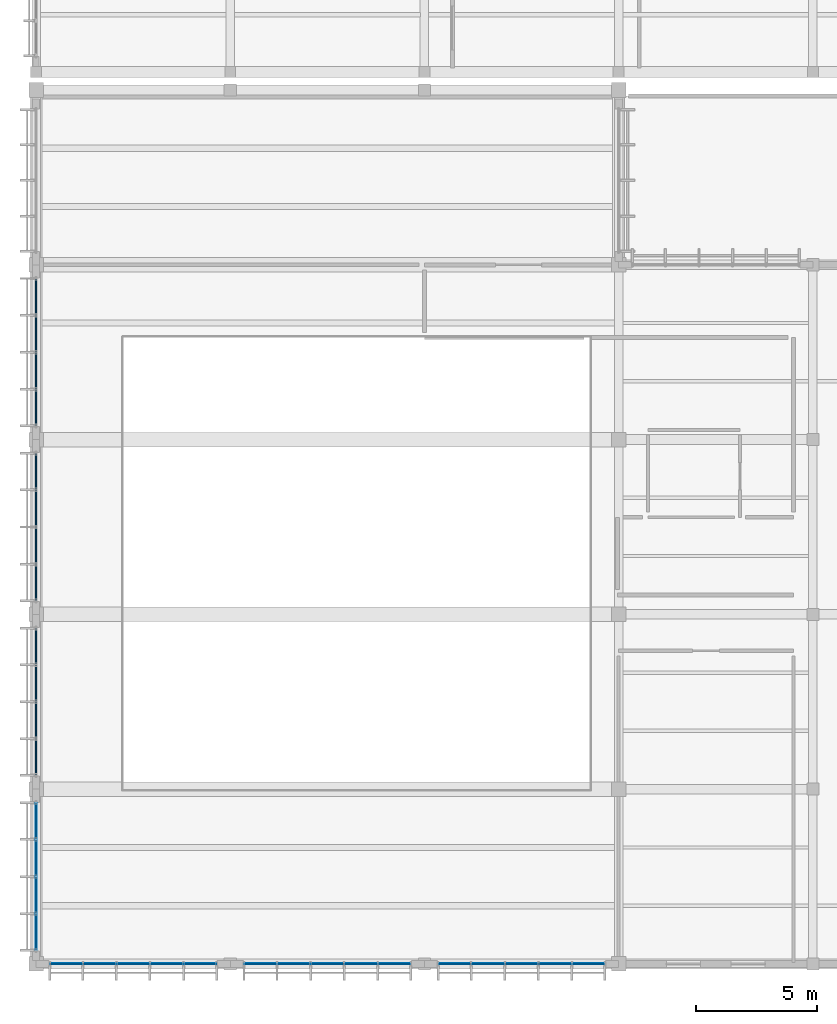
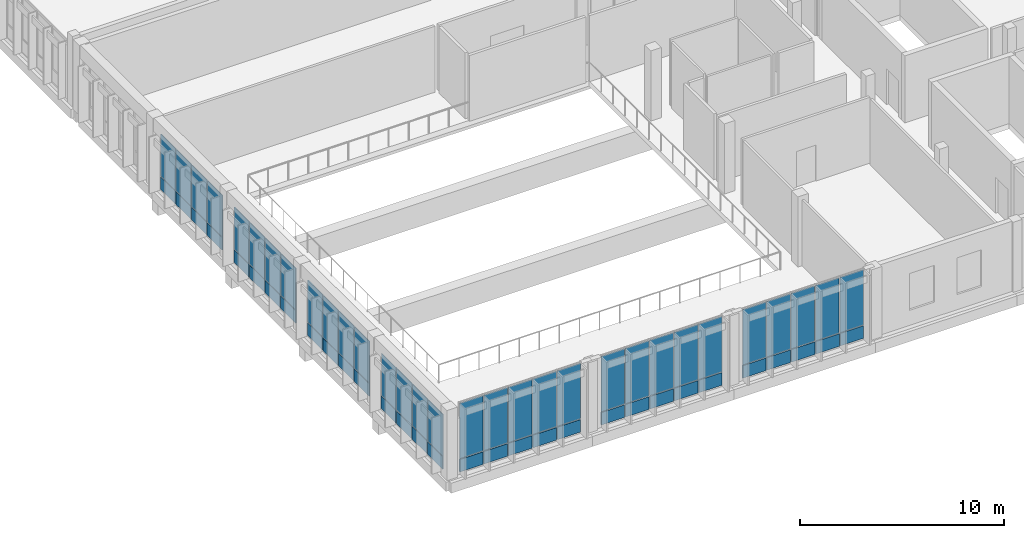
# One storey, part 144 of 182: 62 plates, 7 elements without a shape of their own.
"""IFC4 building model written with IfcOpenShell, lengths in metres."""

from ifc_helpers import new_model, si_unit, direction, frame, origin, origin_2d, place, context, subcontext, project, spatial, rectangle, extrude, material, layer, layer_set, type_object, element, aggregate, save


model = new_model("IFC4")

# Units and contexts
model_context = context("Model", 3, precision=1e-05, world=origin(), true_north=direction((0.0, 1.0)))
body_context = subcontext(model_context, "Body", "Model", "MODEL_VIEW")
ifc_project = project(units=[si_unit("LENGTHUNIT", "METRE"), si_unit("AREAUNIT", "SQUARE_METRE"), si_unit("VOLUMEUNIT", "CUBIC_METRE"), si_unit("PLANEANGLEUNIT", "RADIAN"), si_unit("MASSUNIT", "GRAM", prefix="KILO")], contexts=[model_context])

# Site, building, storey
site_placement = place(None, origin())
site = spatial("IfcSite", under=ifc_project, at=site_placement, CompositionType="ELEMENT")
building_placement = place(site_placement, origin())
building = spatial("IfcBuilding", under=site, at=building_placement, Name="Chiffa Square Polytechnic", CompositionType="ELEMENT")
storey_placement = place(building_placement, frame((0.0, 0.0, 9.60009765625)))
storey = spatial("IfcBuildingStorey", under=building, at=storey_placement, Name="L02", CompositionType="ELEMENT", Elevation=9.60009765625)

# Curtain wall, plates
ifc_material_1 = material(Name="Aluminium EN AW-6060 T66 and glulam shading", Category="wood")
curtain_wall_type_1 = type_object("IfcCurtainWallType", Name="CW-VERT-480X380", PredefinedType="USERDEFINED", material=ifc_material_1)
curtain_wall_1_placement = place(storey_placement, origin())
curtain_wall_1 = element("IfcCurtainWall", 1, at=curtain_wall_1_placement, inside=storey, type_object=curtain_wall_type_1, Name="Curtain wall CW-V3-L02-166", ObjectType="CURTAIN WALL", PredefinedType="USERDEFINED")
ifc_material_2 = material(Name="Double glazing", Category="glass")
ifc_layer_1 = layer(ifc_material_2, 0.035888671875, Name="Double glazing")
ifc_layer_set_1 = layer_set([ifc_layer_1], Name="Double glazing")
plate_type_1 = type_object("IfcPlateType", Name="CWP-GLZ-120X145", PredefinedType="CURTAIN_PANEL", material=ifc_layer_set_1)
plate_1_placement = place(storey_placement, frame((9.242919921875, 0.0, 0.83984375), z_axis=(0.0, 0.0, 1.0), x_axis=(1.0, 0.0, 0.0)))
plate_1 = element("IfcPlate", 2, at=plate_1_placement, type_object=plate_type_1, Name="Glazed curtain panel CW-V3-L02-166-PN01", PredefinedType="CURTAIN_PANEL", context=body_context, shape_type="SweptSolid", body=[
    extrude(rectangle(XDim=1.31005859375, YDim=0.035888671875, at=origin_2d()), origin(), (0.0, 0.0, 1.0), 3.31005859375),
])
plate_2_placement = place(storey_placement, frame((10.615966796875, 0.0, 0.83984375), z_axis=(0.0, 0.0, 1.0), x_axis=(1.0, 0.0, 0.0)))
plate_2 = element("IfcPlate", 3, at=plate_2_placement, type_object=plate_type_1, Name="Glazed curtain panel CW-V3-L02-166-PN02", PredefinedType="CURTAIN_PANEL", context=body_context, shape_type="SweptSolid", body=[
    extrude(rectangle(XDim=1.33203125, YDim=0.035888671875, at=origin_2d()), origin(), (0.0, 0.0, 1.0), 3.31005859375),
])
plate_3_placement = place(storey_placement, frame((12.0, 0.0, 0.83984375), z_axis=(0.0, 0.0, 1.0), x_axis=(1.0, 0.0, 0.0)))
plate_3 = element("IfcPlate", 4, at=plate_3_placement, type_object=plate_type_1, Name="Glazed curtain panel CW-V3-L02-166-PN03", PredefinedType="CURTAIN_PANEL", context=body_context, shape_type="SweptSolid", body=[
    extrude(rectangle(XDim=1.33203125, YDim=0.035888671875, at=origin_2d()), origin(), (0.0, 0.0, 1.0), 3.31005859375),
])
plate_4_placement = place(storey_placement, frame((13.384033203125, 0.0, 0.83984375), z_axis=(0.0, 0.0, 1.0), x_axis=(1.0, 0.0, 0.0)))
plate_4 = element("IfcPlate", 5, at=plate_4_placement, type_object=plate_type_1, Name="Glazed curtain panel CW-V3-L02-166-PN04", PredefinedType="CURTAIN_PANEL", context=body_context, shape_type="SweptSolid", body=[
    extrude(rectangle(XDim=1.33203125, YDim=0.035888671875, at=origin_2d()), origin(), (0.0, 0.0, 1.0), 3.31005859375),
])
plate_5_placement = place(storey_placement, frame((14.757080078125, 0.0, 0.83984375), z_axis=(0.0, 0.0, 1.0), x_axis=(1.0, 0.0, 0.0)))
plate_5 = element("IfcPlate", 6, at=plate_5_placement, type_object=plate_type_1, Name="Glazed curtain panel CW-V3-L02-166-PN05", PredefinedType="CURTAIN_PANEL", context=body_context, shape_type="SweptSolid", body=[
    extrude(rectangle(XDim=1.31005859375, YDim=0.035888671875, at=origin_2d()), origin(), (0.0, 0.0, 1.0), 3.31005859375),
])

curtain_wall_type_2 = type_object("IfcCurtainWallType", Name="CW-VERT-600X440", PredefinedType="USERDEFINED", material=ifc_material_1)
curtain_wall_2_placement = place(storey_placement, origin())
curtain_wall_2 = element("IfcCurtainWall", 7, at=curtain_wall_2_placement, inside=storey, type_object=curtain_wall_type_2, Name="Curtain wall CW-V3-L02-177", ObjectType="CURTAIN WALL", PredefinedType="USERDEFINED")
ifc_layer_2 = layer(ifc_material_2, 0.0458984375, Name="Double glazing")
ifc_layer_set_2 = layer_set([ifc_layer_2], Name="Double glazing")
plate_type_2 = type_object("IfcPlateType", Name="CWP-GLZ-128X106", PredefinedType="CURTAIN_PANEL", material=ifc_layer_set_2)
plate_6_placement = place(storey_placement, frame((0.0, 13.083984375, 0.84033203125), z_axis=(0.0, 0.0, 1.0), x_axis=(0.0, -1.0, 0.0)))
plate_6 = element("IfcPlate", 8, at=plate_6_placement, type_object=plate_type_2, Name="Glazed curtain panel CW-V3-L02-177-PN01", PredefinedType="CURTAIN_PANEL", context=body_context, shape_type="SweptSolid", body=[
    extrude(rectangle(XDim=1.4560546875, YDim=0.0458984375, at=origin_2d()), origin(), (0.0, 0.0, 1.0), 2.4951171875),
])
plate_7_placement = place(storey_placement, frame((0.0, 11.56494140625, 0.84033203125), z_axis=(0.0, 0.0, 1.0), x_axis=(0.0, -1.0, 0.0)))
plate_7 = element("IfcPlate", 9, at=plate_7_placement, type_object=plate_type_2, Name="Glazed curtain panel CW-V3-L02-177-PN02", PredefinedType="CURTAIN_PANEL", context=body_context, shape_type="SweptSolid", body=[
    extrude(rectangle(XDim=1.47802734375, YDim=0.0458984375, at=origin_2d()), origin(), (0.0, 0.0, 1.0), 2.4951171875),
])
plate_8_placement = place(storey_placement, frame((0.0, 10.034912109375, 0.84033203125), z_axis=(0.0, 0.0, 1.0), x_axis=(0.0, -1.0, 0.0)))
plate_8 = element("IfcPlate", 10, at=plate_8_placement, type_object=plate_type_2, Name="Glazed curtain panel CW-V3-L02-177-PN03", PredefinedType="CURTAIN_PANEL", context=body_context, shape_type="SweptSolid", body=[
    extrude(rectangle(XDim=1.47802734375, YDim=0.0458984375, at=origin_2d()), origin(), (0.0, 0.0, 1.0), 2.4951171875),
])
plate_9_placement = place(storey_placement, frame((0.0, 8.51611328125, 0.84033203125), z_axis=(0.0, 0.0, 1.0), x_axis=(0.0, -1.0, 0.0)))
plate_9 = element("IfcPlate", 11, at=plate_9_placement, type_object=plate_type_2, Name="Glazed curtain panel CW-V3-L02-177-PN04", PredefinedType="CURTAIN_PANEL", context=body_context, shape_type="SweptSolid", body=[
    extrude(rectangle(XDim=1.4560546875, YDim=0.0458984375, at=origin_2d()), origin(), (0.0, 0.0, 1.0), 2.4951171875),
])

curtain_wall_type_3 = type_object("IfcCurtainWallType", Name="CW-VERT-450X440", PredefinedType="USERDEFINED", material=ifc_material_1)
curtain_wall_3_placement = place(storey_placement, origin())
curtain_wall_3 = element("IfcCurtainWall", 12, at=curtain_wall_3_placement, inside=storey, type_object=curtain_wall_type_3, Name="Curtain wall CW-V3-L02-176", ObjectType="CURTAIN WALL", PredefinedType="USERDEFINED")
ifc_layer_3 = layer(ifc_material_2, 0.0458984375, Name="Double glazing")
ifc_layer_set_3 = layer_set([ifc_layer_3], Name="Double glazing")
plate_type_3 = type_object("IfcPlateType", Name="CWP-GLZ-130X110", PredefinedType="CURTAIN_PANEL", material=ifc_layer_set_3)
plate_10_placement = place(storey_placement, frame((0.0, 20.283935546875, 0.84033203125), z_axis=(0.0, 0.0, 1.0), x_axis=(0.0, -1.0, 0.0)))
plate_10 = element("IfcPlate", 13, at=plate_10_placement, type_object=plate_type_3, Name="Glazed curtain panel CW-V3-L02-176-PN01", PredefinedType="CURTAIN_PANEL", context=body_context, shape_type="SweptSolid", body=[
    extrude(rectangle(XDim=1.4560546875, YDim=0.0458984375, at=origin_2d()), origin(), (0.0, 0.0, 1.0), 2.4951171875),
])
plate_11_placement = place(storey_placement, frame((0.0, 18.764892578125, 0.84033203125), z_axis=(0.0, 0.0, 1.0), x_axis=(0.0, -1.0, 0.0)))
plate_11 = element("IfcPlate", 14, at=plate_11_placement, type_object=plate_type_3, Name="Glazed curtain panel CW-V3-L02-176-PN02", PredefinedType="CURTAIN_PANEL", context=body_context, shape_type="SweptSolid", body=[
    extrude(rectangle(XDim=1.47802734375, YDim=0.0458984375, at=origin_2d()), origin(), (0.0, 0.0, 1.0), 2.4951171875),
])
plate_12_placement = place(storey_placement, frame((0.0, 17.235107421875, 0.84033203125), z_axis=(0.0, 0.0, 1.0), x_axis=(0.0, -1.0, 0.0)))
plate_12 = element("IfcPlate", 15, at=plate_12_placement, type_object=plate_type_3, Name="Glazed curtain panel CW-V3-L02-176-PN03", PredefinedType="CURTAIN_PANEL", context=body_context, shape_type="SweptSolid", body=[
    extrude(rectangle(XDim=1.47802734375, YDim=0.0458984375, at=origin_2d()), origin(), (0.0, 0.0, 1.0), 2.4951171875),
])
plate_13_placement = place(storey_placement, frame((0.0, 15.716064453125, 0.84033203125), z_axis=(0.0, 0.0, 1.0), x_axis=(0.0, -1.0, 0.0)))
plate_13 = element("IfcPlate", 16, at=plate_13_placement, type_object=plate_type_3, Name="Glazed curtain panel CW-V3-L02-176-PN04", PredefinedType="CURTAIN_PANEL", context=body_context, shape_type="SweptSolid", body=[
    extrude(rectangle(XDim=1.4560546875, YDim=0.0458984375, at=origin_2d()), origin(), (0.0, 0.0, 1.0), 2.4951171875),
])

curtain_wall_type_4 = type_object("IfcCurtainWallType", Name="CW-VERT-540X440", PredefinedType="USERDEFINED", material=ifc_material_1)
curtain_wall_4_placement = place(storey_placement, origin())
curtain_wall_4 = element("IfcCurtainWall", 17, at=curtain_wall_4_placement, inside=storey, type_object=curtain_wall_type_4, Name="Curtain wall CW-V3-L02-175", ObjectType="CURTAIN WALL", PredefinedType="USERDEFINED")
ifc_layer_4 = layer(ifc_material_2, 0.0439453125, Name="Double glazing")
ifc_layer_set_4 = layer_set([ifc_layer_4], Name="Double glazing")
plate_type_4 = type_object("IfcPlateType", Name="CWP-GLZ-132X114", PredefinedType="CURTAIN_PANEL", material=ifc_layer_set_4)
plate_14_placement = place(storey_placement, frame((0.0, 27.48388671875, 0.84033203125), z_axis=(0.0, 0.0, 1.0), x_axis=(0.0, -1.0, 0.0)))
plate_14 = element("IfcPlate", 18, at=plate_14_placement, type_object=plate_type_4, Name="Glazed curtain panel CW-V3-L02-175-PN01", PredefinedType="CURTAIN_PANEL", context=body_context, shape_type="SweptSolid", body=[
    extrude(rectangle(XDim=1.4560546875, YDim=0.0439453125, at=origin_2d()), origin(), (0.0, 0.0, 1.0), 2.4951171875),
])
plate_15_placement = place(storey_placement, frame((0.0, 25.965087890625, 0.84033203125), z_axis=(0.0, 0.0, 1.0), x_axis=(0.0, -1.0, 0.0)))
plate_15 = element("IfcPlate", 19, at=plate_15_placement, type_object=plate_type_4, Name="Glazed curtain panel CW-V3-L02-175-PN02", PredefinedType="CURTAIN_PANEL", context=body_context, shape_type="SweptSolid", body=[
    extrude(rectangle(XDim=1.47802734375, YDim=0.0439453125, at=origin_2d()), origin(), (0.0, 0.0, 1.0), 2.4951171875),
])
plate_16_placement = place(storey_placement, frame((0.0, 24.43505859375, 0.84033203125), z_axis=(0.0, 0.0, 1.0), x_axis=(0.0, -1.0, 0.0)))
plate_16 = element("IfcPlate", 20, at=plate_16_placement, type_object=plate_type_4, Name="Glazed curtain panel CW-V3-L02-175-PN03", PredefinedType="CURTAIN_PANEL", context=body_context, shape_type="SweptSolid", body=[
    extrude(rectangle(XDim=1.47802734375, YDim=0.0439453125, at=origin_2d()), origin(), (0.0, 0.0, 1.0), 2.4951171875),
])
plate_17_placement = place(storey_placement, frame((0.0, 22.916015625, 0.84033203125), z_axis=(0.0, 0.0, 1.0), x_axis=(0.0, -1.0, 0.0)))
plate_17 = element("IfcPlate", 21, at=plate_17_placement, type_object=plate_type_4, Name="Glazed curtain panel CW-V3-L02-175-PN04", PredefinedType="CURTAIN_PANEL", context=body_context, shape_type="SweptSolid", body=[
    extrude(rectangle(XDim=1.4560546875, YDim=0.0439453125, at=origin_2d()), origin(), (0.0, 0.0, 1.0), 2.4951171875),
])

curtain_wall_type_5 = type_object("IfcCurtainWallType", Name="CW-VERT-360X380", PredefinedType="USERDEFINED", material=ifc_material_1)
curtain_wall_5_placement = place(storey_placement, origin())
curtain_wall_5 = element("IfcCurtainWall", 22, at=curtain_wall_5_placement, inside=storey, type_object=curtain_wall_type_5, Name="Curtain wall CW-V3-L02-165", ObjectType="CURTAIN WALL", PredefinedType="USERDEFINED")
ifc_layer_5 = layer(ifc_material_2, 0.035888671875, Name="Double glazing")
ifc_layer_set_5 = layer_set([ifc_layer_5], Name="Double glazing")
plate_type_5 = type_object("IfcPlateType", Name="CWP-GLZ-150X125", PredefinedType="CURTAIN_PANEL", material=ifc_layer_set_5)
plate_18_placement = place(storey_placement, frame((1.242919921875, 0.0, 0.83984375), z_axis=(0.0, 0.0, 1.0), x_axis=(1.0, 0.0, 0.0)))
plate_18 = element("IfcPlate", 23, at=plate_18_placement, type_object=plate_type_5, Name="Glazed curtain panel CW-V3-L02-165-PN01", PredefinedType="CURTAIN_PANEL", context=body_context, shape_type="SweptSolid", body=[
    extrude(rectangle(XDim=1.31005859375, YDim=0.035888671875, at=origin_2d()), origin(), (0.0, 0.0, 1.0), 3.31005859375),
])
plate_19_placement = place(storey_placement, frame((2.615966796875, 0.0, 0.83984375), z_axis=(0.0, 0.0, 1.0), x_axis=(1.0, 0.0, 0.0)))
plate_19 = element("IfcPlate", 24, at=plate_19_placement, type_object=plate_type_5, Name="Glazed curtain panel CW-V3-L02-165-PN02", PredefinedType="CURTAIN_PANEL", context=body_context, shape_type="SweptSolid", body=[
    extrude(rectangle(XDim=1.33203125, YDim=0.035888671875, at=origin_2d()), origin(), (0.0, 0.0, 1.0), 3.31005859375),
])
plate_20_placement = place(storey_placement, frame((4.0, 0.0, 0.83984375), z_axis=(0.0, 0.0, 1.0), x_axis=(1.0, 0.0, 0.0)))
plate_20 = element("IfcPlate", 25, at=plate_20_placement, type_object=plate_type_5, Name="Glazed curtain panel CW-V3-L02-165-PN03", PredefinedType="CURTAIN_PANEL", context=body_context, shape_type="SweptSolid", body=[
    extrude(rectangle(XDim=1.33203125, YDim=0.035888671875, at=origin_2d()), origin(), (0.0, 0.0, 1.0), 3.31005859375),
])
plate_21_placement = place(storey_placement, frame((5.384033203125, 0.0, 0.83984375), z_axis=(0.0, 0.0, 1.0), x_axis=(1.0, 0.0, 0.0)))
plate_21 = element("IfcPlate", 26, at=plate_21_placement, type_object=plate_type_5, Name="Glazed curtain panel CW-V3-L02-165-PN04", PredefinedType="CURTAIN_PANEL", context=body_context, shape_type="SweptSolid", body=[
    extrude(rectangle(XDim=1.33203125, YDim=0.035888671875, at=origin_2d()), origin(), (0.0, 0.0, 1.0), 3.31005859375),
])
plate_22_placement = place(storey_placement, frame((6.757080078125, 0.0, 0.83984375), z_axis=(0.0, 0.0, 1.0), x_axis=(1.0, 0.0, 0.0)))
plate_22 = element("IfcPlate", 27, at=plate_22_placement, type_object=plate_type_5, Name="Glazed curtain panel CW-V3-L02-165-PN05", PredefinedType="CURTAIN_PANEL", context=body_context, shape_type="SweptSolid", body=[
    extrude(rectangle(XDim=1.31005859375, YDim=0.035888671875, at=origin_2d()), origin(), (0.0, 0.0, 1.0), 3.31005859375),
])

curtain_wall_type_6 = type_object("IfcCurtainWallType", Name="CW-VERT-450X380", PredefinedType="USERDEFINED", material=ifc_material_1)
curtain_wall_6_placement = place(storey_placement, origin())
curtain_wall_6 = element("IfcCurtainWall", 28, at=curtain_wall_6_placement, inside=storey, type_object=curtain_wall_type_6, Name="Curtain wall CW-V3-L02-178", ObjectType="CURTAIN WALL", PredefinedType="USERDEFINED")
ifc_layer_6 = layer(ifc_material_2, 0.035888671875, Name="Double glazing")
ifc_layer_set_6 = layer_set([ifc_layer_6], Name="Double glazing")
plate_type_6 = type_object("IfcPlateType", Name="CWP-GLZ-150X145", PredefinedType="CURTAIN_PANEL", material=ifc_layer_set_6)
plate_23_placement = place(storey_placement, frame((0.0, 5.884033203125, 0.84033203125), z_axis=(0.0, 0.0, 1.0), x_axis=(0.0, -1.0, 0.0)))
plate_23 = element("IfcPlate", 29, at=plate_23_placement, type_object=plate_type_6, Name="Glazed curtain panel CW-V3-L02-178-PN01", PredefinedType="CURTAIN_PANEL", context=body_context, shape_type="SweptSolid", body=[
    extrude(rectangle(XDim=1.4560546875, YDim=0.035888671875, at=origin_2d()), origin(), (0.0, 0.0, 1.0), 2.4951171875),
])
plate_24_placement = place(storey_placement, frame((0.0, 4.364990234375, 0.84033203125), z_axis=(0.0, 0.0, 1.0), x_axis=(0.0, -1.0, 0.0)))
plate_24 = element("IfcPlate", 30, at=plate_24_placement, type_object=plate_type_6, Name="Glazed curtain panel CW-V3-L02-178-PN02", PredefinedType="CURTAIN_PANEL", context=body_context, shape_type="SweptSolid", body=[
    extrude(rectangle(XDim=1.47802734375, YDim=0.035888671875, at=origin_2d()), origin(), (0.0, 0.0, 1.0), 2.4951171875),
])
plate_25_placement = place(storey_placement, frame((0.0, 2.8349609375, 0.84033203125), z_axis=(0.0, 0.0, 1.0), x_axis=(0.0, -1.0, 0.0)))
plate_25 = element("IfcPlate", 31, at=plate_25_placement, type_object=plate_type_6, Name="Glazed curtain panel CW-V3-L02-178-PN03", PredefinedType="CURTAIN_PANEL", context=body_context, shape_type="SweptSolid", body=[
    extrude(rectangle(XDim=1.47802734375, YDim=0.035888671875, at=origin_2d()), origin(), (0.0, 0.0, 1.0), 2.4951171875),
])
plate_26_placement = place(storey_placement, frame((0.0, 1.31591796875, 0.84033203125), z_axis=(0.0, 0.0, 1.0), x_axis=(0.0, -1.0, 0.0)))
plate_26 = element("IfcPlate", 32, at=plate_26_placement, type_object=plate_type_6, Name="Glazed curtain panel CW-V3-L02-178-PN04", PredefinedType="CURTAIN_PANEL", context=body_context, shape_type="SweptSolid", body=[
    extrude(rectangle(XDim=1.4560546875, YDim=0.035888671875, at=origin_2d()), origin(), (0.0, 0.0, 1.0), 2.4951171875),
])

curtain_wall_7_placement = place(storey_placement, origin())
curtain_wall_7 = element("IfcCurtainWall", 33, at=curtain_wall_7_placement, inside=storey, type_object=curtain_wall_type_4, Name="Curtain wall CW-V3-L02-167", ObjectType="CURTAIN WALL", PredefinedType="USERDEFINED")
ifc_layer_7 = layer(ifc_material_2, 0.035888671875, Name="Double glazing")
ifc_layer_set_7 = layer_set([ifc_layer_7], Name="Double glazing")
plate_type_7 = type_object("IfcPlateType", Name="CWP-GLZ-180X140", PredefinedType="CURTAIN_PANEL", material=ifc_layer_set_7)
plate_27_placement = place(storey_placement, frame((17.242919921875, 0.0, 0.83984375), z_axis=(0.0, 0.0, 1.0), x_axis=(1.0, 0.0, 0.0)))
plate_27 = element("IfcPlate", 34, at=plate_27_placement, type_object=plate_type_7, Name="Glazed curtain panel CW-V3-L02-167-PN01", PredefinedType="CURTAIN_PANEL", context=body_context, shape_type="SweptSolid", body=[
    extrude(rectangle(XDim=1.31005859375, YDim=0.035888671875, at=origin_2d()), origin(), (0.0, 0.0, 1.0), 3.31005859375),
])
plate_28_placement = place(storey_placement, frame((18.615966796875, 0.0, 0.83984375), z_axis=(0.0, 0.0, 1.0), x_axis=(1.0, 0.0, 0.0)))
plate_28 = element("IfcPlate", 35, at=plate_28_placement, type_object=plate_type_7, Name="Glazed curtain panel CW-V3-L02-167-PN02", PredefinedType="CURTAIN_PANEL", context=body_context, shape_type="SweptSolid", body=[
    extrude(rectangle(XDim=1.33203125, YDim=0.035888671875, at=origin_2d()), origin(), (0.0, 0.0, 1.0), 3.31005859375),
])
plate_29_placement = place(storey_placement, frame((20.0, 0.0, 0.83984375), z_axis=(0.0, 0.0, 1.0), x_axis=(1.0, 0.0, 0.0)))
plate_29 = element("IfcPlate", 36, at=plate_29_placement, type_object=plate_type_7, Name="Glazed curtain panel CW-V3-L02-167-PN03", PredefinedType="CURTAIN_PANEL", context=body_context, shape_type="SweptSolid", body=[
    extrude(rectangle(XDim=1.33203125, YDim=0.035888671875, at=origin_2d()), origin(), (0.0, 0.0, 1.0), 3.31005859375),
])
plate_30_placement = place(storey_placement, frame((21.384033203125, 0.0, 0.83984375), z_axis=(0.0, 0.0, 1.0), x_axis=(1.0, 0.0, 0.0)))
plate_30 = element("IfcPlate", 37, at=plate_30_placement, type_object=plate_type_7, Name="Glazed curtain panel CW-V3-L02-167-PN04", PredefinedType="CURTAIN_PANEL", context=body_context, shape_type="SweptSolid", body=[
    extrude(rectangle(XDim=1.33203125, YDim=0.035888671875, at=origin_2d()), origin(), (0.0, 0.0, 1.0), 3.31005859375),
])
plate_31_placement = place(storey_placement, frame((22.757080078125, 0.0, 0.83984375), z_axis=(0.0, 0.0, 1.0), x_axis=(1.0, 0.0, 0.0)))
plate_31 = element("IfcPlate", 38, at=plate_31_placement, type_object=plate_type_7, Name="Glazed curtain panel CW-V3-L02-167-PN05", PredefinedType="CURTAIN_PANEL", context=body_context, shape_type="SweptSolid", body=[
    extrude(rectangle(XDim=1.31005859375, YDim=0.035888671875, at=origin_2d()), origin(), (0.0, 0.0, 1.0), 3.31005859375),
])

# Plate
ifc_material_3 = material(Name="Aluminium insulated spandrel", Category="aluminium")
ifc_layer_8 = layer(ifc_material_3, 0.072021484375, Name="Aluminium insulated spandrel")
ifc_layer_set_8 = layer_set([ifc_layer_8], Name="Aluminium insulated spandrel")
plate_type_8 = type_object("IfcPlateType", Name="CWP-SPN-136X072", PredefinedType="SHEET", material=ifc_layer_set_8)
plate_32_placement = place(storey_placement, frame((1.242919921875, 0.0, 0.0498046875), z_axis=(0.0, 0.0, 1.0), x_axis=(1.0, 0.0, 0.0)))
plate_32 = element("IfcPlate", 39, at=plate_32_placement, type_object=plate_type_8, Name="Spandrel panel CW-V3-L02-165-SP01", PredefinedType="SHEET", context=body_context, shape_type="SweptSolid", body=[
    extrude(rectangle(XDim=1.31005859375, YDim=0.072021484375, at=origin_2d()), origin(), (0.0, 0.0, 1.0), 0.75),
])

plate_33_placement = place(storey_placement, frame((2.615966796875, 0.0, 0.0498046875), z_axis=(0.0, 0.0, 1.0), x_axis=(1.0, 0.0, 0.0)))
plate_33 = element("IfcPlate", 40, at=plate_33_placement, type_object=plate_type_8, Name="Spandrel panel CW-V3-L02-165-SP02", PredefinedType="SHEET", context=body_context, shape_type="SweptSolid", body=[
    extrude(rectangle(XDim=1.33203125, YDim=0.072021484375, at=origin_2d()), origin(), (0.0, 0.0, 1.0), 0.75),
])

plate_34_placement = place(storey_placement, frame((4.0, 0.0, 0.0498046875), z_axis=(0.0, 0.0, 1.0), x_axis=(1.0, 0.0, 0.0)))
plate_34 = element("IfcPlate", 41, at=plate_34_placement, type_object=plate_type_8, Name="Spandrel panel CW-V3-L02-165-SP03", PredefinedType="SHEET", context=body_context, shape_type="SweptSolid", body=[
    extrude(rectangle(XDim=1.33203125, YDim=0.072021484375, at=origin_2d()), origin(), (0.0, 0.0, 1.0), 0.75),
])

plate_35_placement = place(storey_placement, frame((5.384033203125, 0.0, 0.0498046875), z_axis=(0.0, 0.0, 1.0), x_axis=(1.0, 0.0, 0.0)))
plate_35 = element("IfcPlate", 42, at=plate_35_placement, type_object=plate_type_8, Name="Spandrel panel CW-V3-L02-165-SP04", PredefinedType="SHEET", context=body_context, shape_type="SweptSolid", body=[
    extrude(rectangle(XDim=1.33203125, YDim=0.072021484375, at=origin_2d()), origin(), (0.0, 0.0, 1.0), 0.75),
])

plate_36_placement = place(storey_placement, frame((6.757080078125, 0.0, 0.0498046875), z_axis=(0.0, 0.0, 1.0), x_axis=(1.0, 0.0, 0.0)))
plate_36 = element("IfcPlate", 43, at=plate_36_placement, type_object=plate_type_8, Name="Spandrel panel CW-V3-L02-165-SP05", PredefinedType="SHEET", context=body_context, shape_type="SweptSolid", body=[
    extrude(rectangle(XDim=1.31005859375, YDim=0.072021484375, at=origin_2d()), origin(), (0.0, 0.0, 1.0), 0.75),
])

aggregate(curtain_wall_5, [plate_32, plate_18, plate_33, plate_19, plate_34, plate_20, plate_35, plate_21, plate_36, plate_22])

ifc_layer_9 = layer(ifc_material_3, 0.06591796875, Name="Aluminium insulated spandrel")
ifc_layer_set_9 = layer_set([ifc_layer_9], Name="Aluminium insulated spandrel")
plate_type_9 = type_object("IfcPlateType", Name="CWP-SPN-144X078", PredefinedType="SHEET", material=ifc_layer_set_9)
plate_37_placement = place(storey_placement, frame((0.0, 5.884033203125, 0.0498046875), z_axis=(0.0, 0.0, 1.0), x_axis=(0.0, -1.0, 0.0)))
plate_37 = element("IfcPlate", 44, at=plate_37_placement, type_object=plate_type_9, Name="Spandrel panel CW-V3-L02-178-SP01", PredefinedType="SHEET", context=body_context, shape_type="SweptSolid", body=[
    extrude(rectangle(XDim=1.4560546875, YDim=0.06591796875, at=origin_2d()), origin(), (0.0, 0.0, 1.0), 0.75),
])

plate_38_placement = place(storey_placement, frame((0.0, 4.364990234375, 0.0498046875), z_axis=(0.0, 0.0, 1.0), x_axis=(0.0, -1.0, 0.0)))
plate_38 = element("IfcPlate", 45, at=plate_38_placement, type_object=plate_type_9, Name="Spandrel panel CW-V3-L02-178-SP02", PredefinedType="SHEET", context=body_context, shape_type="SweptSolid", body=[
    extrude(rectangle(XDim=1.47802734375, YDim=0.06591796875, at=origin_2d()), origin(), (0.0, 0.0, 1.0), 0.75),
])

plate_39_placement = place(storey_placement, frame((0.0, 2.8349609375, 0.0498046875), z_axis=(0.0, 0.0, 1.0), x_axis=(0.0, -1.0, 0.0)))
plate_39 = element("IfcPlate", 46, at=plate_39_placement, type_object=plate_type_9, Name="Spandrel panel CW-V3-L02-178-SP03", PredefinedType="SHEET", context=body_context, shape_type="SweptSolid", body=[
    extrude(rectangle(XDim=1.47802734375, YDim=0.06591796875, at=origin_2d()), origin(), (0.0, 0.0, 1.0), 0.75),
])

plate_40_placement = place(storey_placement, frame((0.0, 1.31591796875, 0.0498046875), z_axis=(0.0, 0.0, 1.0), x_axis=(0.0, -1.0, 0.0)))
plate_40 = element("IfcPlate", 47, at=plate_40_placement, type_object=plate_type_9, Name="Spandrel panel CW-V3-L02-178-SP04", PredefinedType="SHEET", context=body_context, shape_type="SweptSolid", body=[
    extrude(rectangle(XDim=1.4560546875, YDim=0.06591796875, at=origin_2d()), origin(), (0.0, 0.0, 1.0), 0.75),
])

aggregate(curtain_wall_6, [plate_37, plate_23, plate_38, plate_24, plate_39, plate_25, plate_40, plate_26])

ifc_layer_10 = layer(ifc_material_3, 0.06396484375, Name="Aluminium insulated spandrel")
ifc_layer_set_10 = layer_set([ifc_layer_10], Name="Aluminium insulated spandrel")
plate_type_10 = type_object("IfcPlateType", Name="CWP-SPN-146X082", PredefinedType="SHEET", material=ifc_layer_set_10)
plate_41_placement = place(storey_placement, frame((0.0, 13.083984375, 0.0498046875), z_axis=(0.0, 0.0, 1.0), x_axis=(0.0, -1.0, 0.0)))
plate_41 = element("IfcPlate", 48, at=plate_41_placement, type_object=plate_type_10, Name="Spandrel panel CW-V3-L02-177-SP01", PredefinedType="SHEET", context=body_context, shape_type="SweptSolid", body=[
    extrude(rectangle(XDim=1.4560546875, YDim=0.06396484375, at=origin_2d()), origin(), (0.0, 0.0, 1.0), 0.75),
])

plate_42_placement = place(storey_placement, frame((0.0, 11.56494140625, 0.0498046875), z_axis=(0.0, 0.0, 1.0), x_axis=(0.0, -1.0, 0.0)))
plate_42 = element("IfcPlate", 49, at=plate_42_placement, type_object=plate_type_10, Name="Spandrel panel CW-V3-L02-177-SP02", PredefinedType="SHEET", context=body_context, shape_type="SweptSolid", body=[
    extrude(rectangle(XDim=1.47802734375, YDim=0.06396484375, at=origin_2d()), origin(), (0.0, 0.0, 1.0), 0.75),
])

plate_43_placement = place(storey_placement, frame((0.0, 10.034912109375, 0.0498046875), z_axis=(0.0, 0.0, 1.0), x_axis=(0.0, -1.0, 0.0)))
plate_43 = element("IfcPlate", 50, at=plate_43_placement, type_object=plate_type_10, Name="Spandrel panel CW-V3-L02-177-SP03", PredefinedType="SHEET", context=body_context, shape_type="SweptSolid", body=[
    extrude(rectangle(XDim=1.47802734375, YDim=0.06396484375, at=origin_2d()), origin(), (0.0, 0.0, 1.0), 0.75),
])

plate_44_placement = place(storey_placement, frame((0.0, 8.51611328125, 0.0498046875), z_axis=(0.0, 0.0, 1.0), x_axis=(0.0, -1.0, 0.0)))
plate_44 = element("IfcPlate", 51, at=plate_44_placement, type_object=plate_type_10, Name="Spandrel panel CW-V3-L02-177-SP04", PredefinedType="SHEET", context=body_context, shape_type="SweptSolid", body=[
    extrude(rectangle(XDim=1.4560546875, YDim=0.06396484375, at=origin_2d()), origin(), (0.0, 0.0, 1.0), 0.75),
])

aggregate(curtain_wall_2, [plate_41, plate_6, plate_42, plate_7, plate_43, plate_8, plate_44, plate_9])

ifc_layer_11 = layer(ifc_material_3, 0.06201171875, Name="Aluminium insulated spandrel")
ifc_layer_set_11 = layer_set([ifc_layer_11], Name="Aluminium insulated spandrel")
plate_type_11 = type_object("IfcPlateType", Name="CWP-SPN-148X084", PredefinedType="SHEET", material=ifc_layer_set_11)
plate_45_placement = place(storey_placement, frame((0.0, 20.283935546875, 0.0498046875), z_axis=(0.0, 0.0, 1.0), x_axis=(0.0, -1.0, 0.0)))
plate_45 = element("IfcPlate", 52, at=plate_45_placement, type_object=plate_type_11, Name="Spandrel panel CW-V3-L02-176-SP01", PredefinedType="SHEET", context=body_context, shape_type="SweptSolid", body=[
    extrude(rectangle(XDim=1.4560546875, YDim=0.06201171875, at=origin_2d()), origin(), (0.0, 0.0, 1.0), 0.75),
])

plate_46_placement = place(storey_placement, frame((0.0, 18.764892578125, 0.0498046875), z_axis=(0.0, 0.0, 1.0), x_axis=(0.0, -1.0, 0.0)))
plate_46 = element("IfcPlate", 53, at=plate_46_placement, type_object=plate_type_11, Name="Spandrel panel CW-V3-L02-176-SP02", PredefinedType="SHEET", context=body_context, shape_type="SweptSolid", body=[
    extrude(rectangle(XDim=1.47802734375, YDim=0.06201171875, at=origin_2d()), origin(), (0.0, 0.0, 1.0), 0.75),
])

plate_47_placement = place(storey_placement, frame((0.0, 17.235107421875, 0.0498046875), z_axis=(0.0, 0.0, 1.0), x_axis=(0.0, -1.0, 0.0)))
plate_47 = element("IfcPlate", 54, at=plate_47_placement, type_object=plate_type_11, Name="Spandrel panel CW-V3-L02-176-SP03", PredefinedType="SHEET", context=body_context, shape_type="SweptSolid", body=[
    extrude(rectangle(XDim=1.47802734375, YDim=0.06201171875, at=origin_2d()), origin(), (0.0, 0.0, 1.0), 0.75),
])

plate_48_placement = place(storey_placement, frame((0.0, 15.716064453125, 0.0498046875), z_axis=(0.0, 0.0, 1.0), x_axis=(0.0, -1.0, 0.0)))
plate_48 = element("IfcPlate", 55, at=plate_48_placement, type_object=plate_type_11, Name="Spandrel panel CW-V3-L02-176-SP04", PredefinedType="SHEET", context=body_context, shape_type="SweptSolid", body=[
    extrude(rectangle(XDim=1.4560546875, YDim=0.06201171875, at=origin_2d()), origin(), (0.0, 0.0, 1.0), 0.75),
])

aggregate(curtain_wall_3, [plate_45, plate_10, plate_46, plate_11, plate_47, plate_12, plate_48, plate_13])

ifc_layer_12 = layer(ifc_material_3, 0.06005859375, Name="Aluminium insulated spandrel")
ifc_layer_set_12 = layer_set([ifc_layer_12], Name="Aluminium insulated spandrel")
plate_type_12 = type_object("IfcPlateType", Name="CWP-SPN-150X080", PredefinedType="SHEET", material=ifc_layer_set_12)
plate_49_placement = place(storey_placement, frame((17.242919921875, 0.0, 0.0498046875), z_axis=(0.0, 0.0, 1.0), x_axis=(1.0, 0.0, 0.0)))
plate_49 = element("IfcPlate", 56, at=plate_49_placement, type_object=plate_type_12, Name="Spandrel panel CW-V3-L02-167-SP01", PredefinedType="SHEET", context=body_context, shape_type="SweptSolid", body=[
    extrude(rectangle(XDim=1.31005859375, YDim=0.06005859375, at=origin_2d()), origin(), (0.0, 0.0, 1.0), 0.75),
])

plate_50_placement = place(storey_placement, frame((18.615966796875, 0.0, 0.0498046875), z_axis=(0.0, 0.0, 1.0), x_axis=(1.0, 0.0, 0.0)))
plate_50 = element("IfcPlate", 57, at=plate_50_placement, type_object=plate_type_12, Name="Spandrel panel CW-V3-L02-167-SP02", PredefinedType="SHEET", context=body_context, shape_type="SweptSolid", body=[
    extrude(rectangle(XDim=1.33203125, YDim=0.06005859375, at=origin_2d()), origin(), (0.0, 0.0, 1.0), 0.75),
])

plate_51_placement = place(storey_placement, frame((20.0, 0.0, 0.0498046875), z_axis=(0.0, 0.0, 1.0), x_axis=(1.0, 0.0, 0.0)))
plate_51 = element("IfcPlate", 58, at=plate_51_placement, type_object=plate_type_12, Name="Spandrel panel CW-V3-L02-167-SP03", PredefinedType="SHEET", context=body_context, shape_type="SweptSolid", body=[
    extrude(rectangle(XDim=1.33203125, YDim=0.06005859375, at=origin_2d()), origin(), (0.0, 0.0, 1.0), 0.75),
])

plate_52_placement = place(storey_placement, frame((21.384033203125, 0.0, 0.0498046875), z_axis=(0.0, 0.0, 1.0), x_axis=(1.0, 0.0, 0.0)))
plate_52 = element("IfcPlate", 59, at=plate_52_placement, type_object=plate_type_12, Name="Spandrel panel CW-V3-L02-167-SP04", PredefinedType="SHEET", context=body_context, shape_type="SweptSolid", body=[
    extrude(rectangle(XDim=1.33203125, YDim=0.06005859375, at=origin_2d()), origin(), (0.0, 0.0, 1.0), 0.75),
])

plate_53_placement = place(storey_placement, frame((22.757080078125, 0.0, 0.0498046875), z_axis=(0.0, 0.0, 1.0), x_axis=(1.0, 0.0, 0.0)))
plate_53 = element("IfcPlate", 60, at=plate_53_placement, type_object=plate_type_12, Name="Spandrel panel CW-V3-L02-167-SP05", PredefinedType="SHEET", context=body_context, shape_type="SweptSolid", body=[
    extrude(rectangle(XDim=1.31005859375, YDim=0.06005859375, at=origin_2d()), origin(), (0.0, 0.0, 1.0), 0.75),
])

aggregate(curtain_wall_7, [plate_49, plate_27, plate_50, plate_28, plate_51, plate_29, plate_52, plate_30, plate_53, plate_31])

plate_54_placement = place(storey_placement, frame((0.0, 27.48388671875, 0.0498046875), z_axis=(0.0, 0.0, 1.0), x_axis=(0.0, -1.0, 0.0)))
plate_54 = element("IfcPlate", 61, at=plate_54_placement, type_object=plate_type_12, Name="Spandrel panel CW-V3-L02-175-SP01", PredefinedType="SHEET", context=body_context, shape_type="SweptSolid", body=[
    extrude(rectangle(XDim=1.4560546875, YDim=0.06005859375, at=origin_2d()), origin(), (0.0, 0.0, 1.0), 0.75),
])

plate_55_placement = place(storey_placement, frame((0.0, 25.965087890625, 0.0498046875), z_axis=(0.0, 0.0, 1.0), x_axis=(0.0, -1.0, 0.0)))
plate_55 = element("IfcPlate", 62, at=plate_55_placement, type_object=plate_type_12, Name="Spandrel panel CW-V3-L02-175-SP02", PredefinedType="SHEET", context=body_context, shape_type="SweptSolid", body=[
    extrude(rectangle(XDim=1.47802734375, YDim=0.06005859375, at=origin_2d()), origin(), (0.0, 0.0, 1.0), 0.75),
])

plate_56_placement = place(storey_placement, frame((0.0, 24.43505859375, 0.0498046875), z_axis=(0.0, 0.0, 1.0), x_axis=(0.0, -1.0, 0.0)))
plate_56 = element("IfcPlate", 63, at=plate_56_placement, type_object=plate_type_12, Name="Spandrel panel CW-V3-L02-175-SP03", PredefinedType="SHEET", context=body_context, shape_type="SweptSolid", body=[
    extrude(rectangle(XDim=1.47802734375, YDim=0.06005859375, at=origin_2d()), origin(), (0.0, 0.0, 1.0), 0.75),
])

plate_57_placement = place(storey_placement, frame((0.0, 22.916015625, 0.0498046875), z_axis=(0.0, 0.0, 1.0), x_axis=(0.0, -1.0, 0.0)))
plate_57 = element("IfcPlate", 64, at=plate_57_placement, type_object=plate_type_12, Name="Spandrel panel CW-V3-L02-175-SP04", PredefinedType="SHEET", context=body_context, shape_type="SweptSolid", body=[
    extrude(rectangle(XDim=1.4560546875, YDim=0.06005859375, at=origin_2d()), origin(), (0.0, 0.0, 1.0), 0.75),
])

aggregate(curtain_wall_4, [plate_54, plate_14, plate_55, plate_15, plate_56, plate_16, plate_57, plate_17])

ifc_layer_13 = layer(ifc_material_3, 0.06005859375, Name="Aluminium insulated spandrel")
ifc_layer_set_13 = layer_set([ifc_layer_13], Name="Aluminium insulated spandrel")
plate_type_13 = type_object("IfcPlateType", Name="CWP-SPN-150X095", PredefinedType="SHEET", material=ifc_layer_set_13)
plate_58_placement = place(storey_placement, frame((9.242919921875, 0.0, 0.0498046875), z_axis=(0.0, 0.0, 1.0), x_axis=(1.0, 0.0, 0.0)))
plate_58 = element("IfcPlate", 65, at=plate_58_placement, type_object=plate_type_13, Name="Spandrel panel CW-V3-L02-166-SP01", PredefinedType="SHEET", context=body_context, shape_type="SweptSolid", body=[
    extrude(rectangle(XDim=1.31005859375, YDim=0.06005859375, at=origin_2d()), origin(), (0.0, 0.0, 1.0), 0.75),
])

plate_59_placement = place(storey_placement, frame((10.615966796875, 0.0, 0.0498046875), z_axis=(0.0, 0.0, 1.0), x_axis=(1.0, 0.0, 0.0)))
plate_59 = element("IfcPlate", 66, at=plate_59_placement, type_object=plate_type_13, Name="Spandrel panel CW-V3-L02-166-SP02", PredefinedType="SHEET", context=body_context, shape_type="SweptSolid", body=[
    extrude(rectangle(XDim=1.33203125, YDim=0.06005859375, at=origin_2d()), origin(), (0.0, 0.0, 1.0), 0.75),
])

plate_60_placement = place(storey_placement, frame((12.0, 0.0, 0.0498046875), z_axis=(0.0, 0.0, 1.0), x_axis=(1.0, 0.0, 0.0)))
plate_60 = element("IfcPlate", 67, at=plate_60_placement, type_object=plate_type_13, Name="Spandrel panel CW-V3-L02-166-SP03", PredefinedType="SHEET", context=body_context, shape_type="SweptSolid", body=[
    extrude(rectangle(XDim=1.33203125, YDim=0.06005859375, at=origin_2d()), origin(), (0.0, 0.0, 1.0), 0.75),
])

plate_61_placement = place(storey_placement, frame((13.384033203125, 0.0, 0.0498046875), z_axis=(0.0, 0.0, 1.0), x_axis=(1.0, 0.0, 0.0)))
plate_61 = element("IfcPlate", 68, at=plate_61_placement, type_object=plate_type_13, Name="Spandrel panel CW-V3-L02-166-SP04", PredefinedType="SHEET", context=body_context, shape_type="SweptSolid", body=[
    extrude(rectangle(XDim=1.33203125, YDim=0.06005859375, at=origin_2d()), origin(), (0.0, 0.0, 1.0), 0.75),
])

plate_62_placement = place(storey_placement, frame((14.757080078125, 0.0, 0.0498046875), z_axis=(0.0, 0.0, 1.0), x_axis=(1.0, 0.0, 0.0)))
plate_62 = element("IfcPlate", 69, at=plate_62_placement, type_object=plate_type_13, Name="Spandrel panel CW-V3-L02-166-SP05", PredefinedType="SHEET", context=body_context, shape_type="SweptSolid", body=[
    extrude(rectangle(XDim=1.31005859375, YDim=0.06005859375, at=origin_2d()), origin(), (0.0, 0.0, 1.0), 0.75),
])

aggregate(curtain_wall_1, [plate_58, plate_1, plate_59, plate_2, plate_60, plate_3, plate_61, plate_4, plate_62, plate_5])

save(model, "model.ifc")
